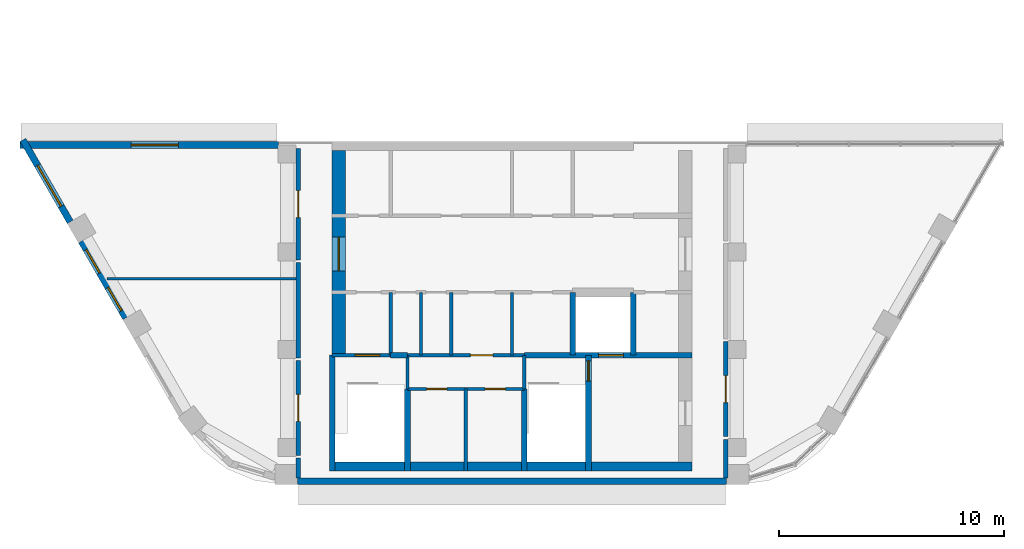
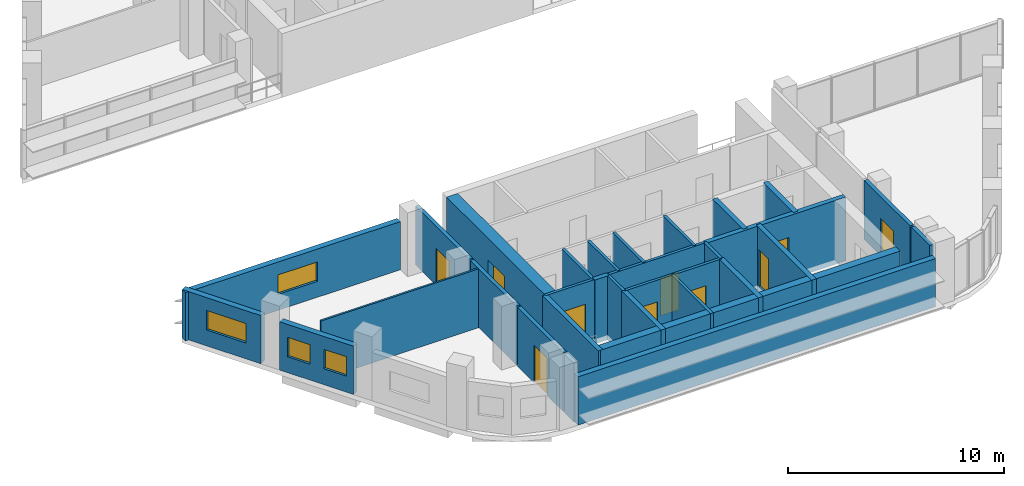
# One storey, part 8 of 13: 31 walls, 10 doors, 4 windows, 14 openings.
"""IFC4 building model written with IfcOpenShell, lengths in metres."""

from ifc_helpers import new_model, si_unit, direction, frame, frame_2d, origin, place, context, subcontext, project, spatial, rectangle, extrude, material, layer, layer_set, type_object, element, fill, save


model = new_model("IFC4")

# Units and contexts
model_context = context("Model", 3, precision=1e-05, world=origin(), true_north=direction((0.0, 1.0)))
body_context = subcontext(model_context, "Body", "Model", "MODEL_VIEW")
ifc_project = project(units=[si_unit("LENGTHUNIT", "METRE"), si_unit("AREAUNIT", "SQUARE_METRE"), si_unit("VOLUMEUNIT", "CUBIC_METRE"), si_unit("PLANEANGLEUNIT", "RADIAN"), si_unit("MASSUNIT", "GRAM", prefix="KILO")], contexts=[model_context])

# Site, building, storey
site_placement = place(None, origin())
site = spatial("IfcSite", under=ifc_project, at=site_placement, CompositionType="ELEMENT")
building_placement = place(site_placement, origin())
building = spatial("IfcBuilding", under=site, at=building_placement, Name="Nakaniwa Court", CompositionType="ELEMENT")
storey_placement = place(building_placement, frame((0.0, 0.0, 286.800048828125)))
storey = spatial("IfcBuildingStorey", under=building, at=storey_placement, Name="C05", CompositionType="ELEMENT", Elevation=286.800048828125)

# Wall
ifc_material_1 = material(Name="Acoustic double stud partition")
ifc_layer_1 = layer(ifc_material_1, 0.199951171875)
ifc_layer_set_1 = layer_set([ifc_layer_1], Name="Acoustic double stud partition")
wall_type_1 = type_object("IfcWallType", Name="Acoustic double stud partition 200", PredefinedType="PARTITIONING", material=ifc_layer_set_1)
wall_1_placement = place(storey_placement, frame((89.5, 57.64990234375, 0.0), z_axis=(0.0, 0.0, 1.0), x_axis=(0.0, 1.0, 0.0)))
element("IfcWall", 1, at=wall_1_placement, inside=storey, type_object=wall_type_1, Name="Partition PW-055", PredefinedType="PARTITIONING", context=body_context, shape_type="SweptSolid", body=[
    extrude(rectangle(XDim=1.713134765625, YDim=0.199951171875, at=frame_2d((0.8564453125, 0.0))), origin(), (0.0, 0.0, 1.0), 3.324951171875),
])

# Wall, opening, door
wall_2_placement = place(storey_placement, frame((89.5, 63.712890625, 0.0), z_axis=(0.0, 0.0, 1.0), x_axis=(0.0, -1.0, 0.0)))
wall_2 = element("IfcWall", 2, at=wall_2_placement, inside=storey, type_object=wall_type_1, Name="Partition PW-056", PredefinedType="PARTITIONING", context=body_context, shape_type="SweptSolid", body=[
    extrude(rectangle(XDim=4.23583984375, YDim=0.199951171875, at=frame_2d((2.117919921875, 0.0))), origin(), (0.0, 0.0, 1.0), 3.324951171875),
])
opening_1_placement = place(wall_2_placement, frame((1.51806640625, 0.0, 0.0)))
opening_1 = element("IfcOpeningElement", 3, at=opening_1_placement, cuts=wall_2, Name="Opening D-30-01", PredefinedType="OPENING", context=body_context, shape_type="SweptSolid", body=[
    extrude(rectangle(XDim=1.199951171875, YDim=2.10009765625, at=frame_2d((0.60009765625, 1.050048828125))), frame((0.0, 0.10986328125, 0.0), z_axis=(0.0, -1.0, 0.0), x_axis=(1.0, 0.0, 0.0)), (0.0, 0.0, 1.0), 0.219970703125),
])
ifc_material_2 = material(Name="Solid core timber door set, black veneer", Category="wood")
door_type_1 = type_object("IfcDoorType", Name="Internal door 1200", OperationType="NOTDEFINED", PredefinedType="DOOR", material=ifc_material_2)
door_1_placement = place(opening_1_placement, origin())
door_1 = element("IfcDoor", 4, at=door_1_placement, inside=storey, type_object=door_type_1, Name="Door D-30-01 C05-031", OperationType="SINGLE_SWING_RIGHT", OverallHeight=2.10009765625, OverallWidth=1.199951171875, PredefinedType="DOOR", context=body_context, shape_type="SweptSolid", body=[
    extrude(rectangle(XDim=1.199951171875, YDim=2.10009765625, at=frame_2d((0.60009765625, 1.050048828125))), frame((0.0, 0.02490234375, 0.0), z_axis=(0.0, -1.0, 0.0), x_axis=(1.0, 0.0, 0.0)), (0.0, 0.0, 1.0), 0.050048828125),
])
fill(opening_1, door_1)

# Wall
wall_3_placement = place(storey_placement, frame((70.5, 57.64990234375, 0.0), z_axis=(0.0, 0.0, 1.0), x_axis=(0.0, 1.0, 0.0)))
element("IfcWall", 5, at=wall_3_placement, inside=storey, type_object=wall_type_1, Name="Partition PW-063", PredefinedType="PARTITIONING", context=body_context, shape_type="SweptSolid", body=[
    extrude(rectangle(XDim=0.873046875, YDim=0.199951171875, at=frame_2d((0.4365234375, 0.0))), origin(), (0.0, 0.0, 1.0), 3.324951171875),
])

# Wall, opening, door
wall_4_placement = place(storey_placement, frame((70.5, 58.636962890625, 0.0), z_axis=(0.0, 0.0, 1.0), x_axis=(0.0, 1.0, 0.0)))
wall_4 = element("IfcWall", 6, at=wall_4_placement, inside=storey, type_object=wall_type_1, Name="Partition PW-064", PredefinedType="PARTITIONING", context=body_context, shape_type="SweptSolid", body=[
    extrude(rectangle(XDim=4.236083984375, YDim=0.199951171875, at=frame_2d((2.1181640625, 0.0))), origin(), (0.0, 0.0, 1.0), 3.324951171875),
])
opening_2_placement = place(wall_4_placement, frame((1.51806640625, 0.0, 0.0)))
opening_2 = element("IfcOpeningElement", 7, at=opening_2_placement, cuts=wall_4, Name="Opening D-30-03", PredefinedType="OPENING", context=body_context, shape_type="SweptSolid", body=[
    extrude(rectangle(XDim=1.199951171875, YDim=2.10009765625, at=frame_2d((0.60009765625, 1.050048828125))), frame((0.0, 0.10986328125, 0.0), z_axis=(0.0, -1.0, 0.0), x_axis=(1.0, 0.0, 0.0)), (0.0, 0.0, 1.0), 0.219970703125),
])
door_2_placement = place(opening_2_placement, origin())
door_2 = element("IfcDoor", 8, at=door_2_placement, inside=storey, type_object=door_type_1, Name="Door D-30-03 C05-033", OperationType="SINGLE_SWING_RIGHT", OverallHeight=2.10009765625, OverallWidth=1.199951171875, PredefinedType="DOOR", context=body_context, shape_type="SweptSolid", body=[
    extrude(rectangle(XDim=1.199951171875, YDim=2.10009765625, at=frame_2d((0.60009765625, 1.050048828125))), frame((0.0, 0.02490234375, 0.0), z_axis=(0.0, -1.0, 0.0), x_axis=(1.0, 0.0, 0.0)), (0.0, 0.0, 1.0), 0.050048828125),
])
fill(opening_2, door_2)

# Wall
wall_5_placement = place(storey_placement, frame((70.5, 62.987060546875, 0.0), z_axis=(0.0, 0.0, 1.0), x_axis=(0.0, 1.0, 0.0)))
element("IfcWall", 9, at=wall_5_placement, inside=storey, type_object=wall_type_1, Name="Partition PW-065", PredefinedType="PARTITIONING", context=body_context, shape_type="SweptSolid", body=[
    extrude(rectangle(XDim=4.23583984375, YDim=0.199951171875, at=frame_2d((2.117919921875, 0.0))), origin(), (0.0, 0.0, 1.0), 3.324951171875),
])

# Wall, opening, door
wall_6_placement = place(storey_placement, frame((70.5, 67.3369140625, 0.0), z_axis=(0.0, 0.0, 1.0), x_axis=(0.0, 1.0, 0.0)))
wall_6 = element("IfcWall", 10, at=wall_6_placement, inside=storey, type_object=wall_type_1, Name="Partition PW-066", PredefinedType="PARTITIONING", context=body_context, shape_type="SweptSolid", body=[
    extrude(rectangle(XDim=4.963134765625, YDim=0.199951171875, at=frame_2d((2.4814453125, 0.0))), origin(), (0.0, 0.0, 1.0), 3.324951171875),
])
opening_3_placement = place(wall_6_placement, frame((1.883056640625, 0.0, 0.0)))
opening_3 = element("IfcOpeningElement", 11, at=opening_3_placement, cuts=wall_6, Name="Opening D-30-04", PredefinedType="OPENING", context=body_context, shape_type="SweptSolid", body=[
    extrude(rectangle(XDim=1.199951171875, YDim=2.10009765625, at=frame_2d((0.60009765625, 1.050048828125))), frame((0.0, 0.10986328125, 0.0), z_axis=(0.0, -1.0, 0.0), x_axis=(1.0, 0.0, 0.0)), (0.0, 0.0, 1.0), 0.219970703125),
])
door_3_placement = place(opening_3_placement, origin())
door_3 = element("IfcDoor", 12, at=door_3_placement, inside=storey, type_object=door_type_1, Name="Door D-30-04 C05-034", OperationType="SINGLE_SWING_LEFT", OverallHeight=2.10009765625, OverallWidth=1.199951171875, PredefinedType="DOOR", context=body_context, shape_type="SweptSolid", body=[
    extrude(rectangle(XDim=1.199951171875, YDim=2.10009765625, at=frame_2d((0.60009765625, 1.050048828125))), frame((0.0, 0.02490234375, 0.0), z_axis=(0.0, -1.0, 0.0), x_axis=(1.0, 0.0, 0.0)), (0.0, 0.0, 1.0), 0.050048828125),
])
fill(opening_3, door_3)

# Wall, opening, window
ifc_material_3 = material(Name="Charcoal ceramic cladding")
ifc_layer_2 = layer(ifc_material_3, 0.02, Name="Ceramic cladding")
ifc_material_4 = material(Name="Ventilated air cavity")
ifc_layer_3 = layer(ifc_material_4, 0.04, ventilated=True, Name="Ventilated cavity")
ifc_material_5 = material(Name="Mineral wool insulation")
ifc_layer_4 = layer(ifc_material_5, 0.1, Name="Insulation")
ifc_material_6 = material(Name="Cement bonded sheathing board")
ifc_layer_5 = layer(ifc_material_6, 0.012, Name="Sheathing")
ifc_material_7 = material(Name="Cold-formed galvanised stud frame with mineral wool infill")
ifc_layer_6 = layer(ifc_material_7, 0.1, Name="Stud frame")
ifc_material_8 = material(Name="Fire-rated gypsum plasterboard lining")
ifc_layer_7 = layer(ifc_material_8, 0.028, Name="Lining")
ifc_layer_set_2 = layer_set([ifc_layer_2, ifc_layer_3, ifc_layer_4, ifc_layer_5, ifc_layer_6, ifc_layer_7], Name="Charcoal ceramic faced external wall system")
wall_type_2 = type_object("IfcWallType", Name="Black ceramic faced external wall 300", PredefinedType="SOLIDWALL", material=ifc_layer_set_2)
wall_7_placement = place(storey_placement, frame((69.60400390625, 72.449951171875, 0.0), z_axis=(0.0, 0.0, 1.0), x_axis=(-1.0, 0.0, 0.0)))
wall_7 = element("IfcWall", 13, at=wall_7_placement, inside=storey, type_object=wall_type_2, Name="C05 external wall 04", PredefinedType="SOLIDWALL", context=body_context, shape_type="SweptSolid", body=[
    extrude(rectangle(XDim=11.485595703125, YDim=0.300048828125, at=frame_2d((5.74267578125, 0.0))), origin(), (0.0, 0.0, 1.0), 2.724853515625),
])
opening_4_placement = place(wall_7_placement, frame((4.439208984375, 0.0, 0.89990234375)))
opening_4 = element("IfcOpeningElement", 14, at=opening_4_placement, cuts=wall_7, Name="Opening W7.01", PredefinedType="OPENING", context=body_context, shape_type="SweptSolid", body=[
    extrude(rectangle(XDim=2.10009765625, YDim=1.10009765625, at=frame_2d((1.050048828125, 0.550048828125))), frame((0.0, 0.159912109375, 0.0), z_axis=(0.0, -1.0, 0.0), x_axis=(1.0, 0.0, 0.0)), (0.0, 0.0, 1.0), 0.320068359375),
])
ifc_material_9 = material(Name="Black anodised aluminium frame with dark low-E laminated double glazing", Category="aluminium")
window_type_1 = type_object("IfcWindowType", Name="Dark glass window 2100x1100 sill 900", PartitioningType="SINGLE_PANEL", PredefinedType="WINDOW", material=ifc_material_9)
window_1_placement = place(opening_4_placement, origin())
window_1 = element("IfcWindow", 15, at=window_1_placement, inside=storey, type_object=window_type_1, Name="C05 habitable room window 04-0", OverallHeight=1.10009765625, OverallWidth=2.10009765625, PartitioningType="SINGLE_PANEL", PredefinedType="WINDOW", context=body_context, shape_type="SweptSolid", body=[
    extrude(rectangle(XDim=2.10009765625, YDim=1.10009765625, at=frame_2d((1.050048828125, 0.550048828125))), frame((0.0, 0.030029296875, 0.0), z_axis=(0.0, -1.0, 0.0), x_axis=(1.0, 0.0, 0.0)), (0.0, 0.0, 1.0), 0.06005859375),
])
fill(opening_4, window_1)

wall_8_placement = place(storey_placement, frame((58.248291015625, 72.675048828125, 0.0), z_axis=(0.0, 0.0, 1.0), x_axis=(0.499981865284, -0.866035873614, 0.0)))
wall_8 = element("IfcWall", 16, at=wall_8_placement, inside=storey, type_object=wall_type_2, Name="C05 external wall 05", PredefinedType="SOLIDWALL", context=body_context, shape_type="SweptSolid", body=[
    extrude(rectangle(XDim=4.209228515625, YDim=0.300048828125, at=frame_2d((2.1044921875, 0.0))), origin(), (0.0, 0.0, 1.0), 2.724853515625),
])
opening_5_placement = place(wall_8_placement, frame((1.30810546875, 0.0, 0.89990234375)))
opening_5 = element("IfcOpeningElement", 17, at=opening_5_placement, cuts=wall_8, Name="Opening W7.02", PredefinedType="OPENING", context=body_context, shape_type="SweptSolid", body=[
    extrude(rectangle(XDim=2.10009765625, YDim=1.10009765625, at=frame_2d((1.050048828125, 0.550048828125))), frame((0.0, 0.159912109375, 0.0), z_axis=(0.0, -1.0, 0.0), x_axis=(1.0, 0.0, 0.0)), (0.0, 0.0, 1.0), 0.320068359375),
])
window_2_placement = place(opening_5_placement, origin())
window_2 = element("IfcWindow", 18, at=window_2_placement, inside=storey, type_object=window_type_1, Name="C05 habitable room window 05-0", OverallHeight=1.10009765625, OverallWidth=2.10009765625, PartitioningType="SINGLE_PANEL", PredefinedType="WINDOW", context=body_context, shape_type="SweptSolid", body=[
    extrude(rectangle(XDim=2.10009765625, YDim=1.10009765625, at=frame_2d((1.050048828125, 0.550048828125))), frame((0.0, 0.030029296875, 0.0), z_axis=(0.0, -1.0, 0.0), x_axis=(1.0, 0.0, 0.0)), (0.0, 0.0, 1.0), 0.06005859375),
])
fill(opening_5, window_2)

# Wall, openings, windows
wall_9_placement = place(storey_placement, frame((60.848876953125, 68.1708984375, 0.0), z_axis=(0.0, 0.0, 1.0), x_axis=(0.499986771468, -0.866033041146, 0.0)))
wall_9 = element("IfcWall", 19, at=wall_9_placement, inside=storey, type_object=wall_type_2, Name="C05 external wall 06", PredefinedType="SOLIDWALL", context=body_context, shape_type="SweptSolid", body=[
    extrude(rectangle(XDim=3.9443359375, YDim=0.300048828125, at=frame_2d((1.97216796875, 0.0))), origin(), (0.0, 0.0, 1.0), 2.724853515625),
])
opening_6_placement = place(wall_9_placement, frame((0.42578125, 0.0, 0.89990234375)))
opening_6 = element("IfcOpeningElement", 20, at=opening_6_placement, cuts=wall_9, Name="Opening W6.03", PredefinedType="OPENING", context=body_context, shape_type="SweptSolid", body=[
    extrude(rectangle(XDim=1.199951171875, YDim=1.10009765625, at=frame_2d((0.60009765625, 0.550048828125))), frame((0.0, 0.159912109375, 0.0), z_axis=(0.0, -1.0, 0.0), x_axis=(1.0, 0.0, 0.0)), (0.0, 0.0, 1.0), 0.320068359375),
])
opening_7_placement = place(wall_9_placement, frame((2.373779296875, 0.0, 0.89990234375)))
opening_7 = element("IfcOpeningElement", 21, at=opening_7_placement, cuts=wall_9, Name="Opening W6.04", PredefinedType="OPENING", context=body_context, shape_type="SweptSolid", body=[
    extrude(rectangle(XDim=1.199951171875, YDim=1.10009765625, at=frame_2d((0.60009765625, 0.550048828125))), frame((0.0, 0.159912109375, 0.0), z_axis=(0.0, -1.0, 0.0), x_axis=(1.0, 0.0, 0.0)), (0.0, 0.0, 1.0), 0.320068359375),
])
window_type_2 = type_object("IfcWindowType", Name="Dark glass window 1200x1100 sill 900", PartitioningType="SINGLE_PANEL", PredefinedType="WINDOW", material=ifc_material_9)
window_3_placement = place(opening_6_placement, origin())
window_3 = element("IfcWindow", 22, at=window_3_placement, inside=storey, type_object=window_type_2, Name="C05 habitable room window 06-0", OverallHeight=1.10009765625, OverallWidth=1.199951171875, PartitioningType="SINGLE_PANEL", PredefinedType="WINDOW", context=body_context, shape_type="SweptSolid", body=[
    extrude(rectangle(XDim=1.199951171875, YDim=1.10009765625, at=frame_2d((0.60009765625, 0.550048828125))), frame((0.0, 0.030029296875, 0.0), z_axis=(0.0, -1.0, 0.0), x_axis=(1.0, 0.0, 0.0)), (0.0, 0.0, 1.0), 0.06005859375),
])
fill(opening_6, window_3)
window_4_placement = place(opening_7_placement, origin())
window_4 = element("IfcWindow", 23, at=window_4_placement, inside=storey, type_object=window_type_2, Name="C05 habitable room window 06-1", OverallHeight=1.10009765625, OverallWidth=1.199951171875, PartitioningType="SINGLE_PANEL", PredefinedType="WINDOW", context=body_context, shape_type="SweptSolid", body=[
    extrude(rectangle(XDim=1.199951171875, YDim=1.10009765625, at=frame_2d((0.60009765625, 0.550048828125))), frame((0.0, 0.030029296875, 0.0), z_axis=(0.0, -1.0, 0.0), x_axis=(1.0, 0.0, 0.0)), (0.0, 0.0, 1.0), 0.06005859375),
])
fill(opening_7, window_4)

# Walls
wall_10_placement = place(storey_placement, frame((70.45068359375, 57.5, 0.0), z_axis=(0.0, 0.0, 1.0), x_axis=(1.0, 0.0, 0.0)))
element("IfcWall", 24, at=wall_10_placement, inside=storey, type_object=wall_type_2, Name="C05 external wall 10", PredefinedType="SOLIDWALL", context=body_context, shape_type="SweptSolid", body=[
    extrude(rectangle(XDim=19.0927734375, YDim=0.300048828125, at=frame_2d((9.54638671875, 0.0))), origin(), (0.0, 0.0, 1.0), 2.724853515625),
])
ifc_material_10 = material(Name="Blockwork partition", Category="masonry")
ifc_layer_8 = layer(ifc_material_10, 0.14990234375)
ifc_layer_set_3 = layer_set([ifc_layer_8], Name="Blockwork partition")
wall_type_3 = type_object("IfcWallType", Name="Blockwork partition 150", PredefinedType="PARTITIONING", material=ifc_layer_set_3)
for number, where, z_axis, x_axis, name in (
    (25, (74.60009765625, 63.10009765625, 0.0), (0.0, 0.0, 1.0), (0.0, 1.0, 0.0), "Partition PW-028"),
    (26, (80.0, 63.10009765625, 0.0), (0.0, 0.0, 1.0), (0.0, 1.0, 0.0), "Partition PW-032"),
    (27, (75.949951171875, 63.10009765625, 0.0), (0.0, 0.0, 1.0), (0.0, 1.0, 0.0), "Partition PW-040"),
):
    element("IfcWall", number, at=place(storey_placement, frame(where, z_axis=z_axis, x_axis=x_axis)), inside=storey, type_object=wall_type_3, Name=name, PredefinedType="PARTITIONING", context=body_context, shape_type="SweptSolid", body=[
        extrude(rectangle(XDim=2.7998046875, YDim=0.14990234375, at=frame_2d((1.39990234375, 0.0))), origin(), (0.0, 0.0, 1.0), 3.324951171875),
    ])

# Wall, opening, door
wall_11_placement = place(storey_placement, frame((80.552978515625, 63.10009765625, 0.0), z_axis=(0.0, 0.0, 1.0), x_axis=(-1.0, 0.0, 0.0)))
wall_11 = element("IfcWall", 28, at=wall_11_placement, inside=storey, type_object=wall_type_3, Name="Partition PW-043", PredefinedType="PARTITIONING", context=body_context, shape_type="SweptSolid", body=[
    extrude(rectangle(XDim=5.2060546875, YDim=0.14990234375, at=frame_2d((2.60302734375, 0.0))), origin(), (0.0, 0.0, 1.0), 3.324951171875),
])
opening_8_placement = place(wall_11_placement, frame((1.403076171875, 0.0, 0.0)))
opening_8 = element("IfcOpeningElement", 29, at=opening_8_placement, cuts=wall_11, Name="Opening D-23-02", PredefinedType="OPENING", context=body_context, shape_type="SweptSolid", body=[
    extrude(rectangle(XDim=1.0, YDim=2.10009765625, at=frame_2d((0.5, 1.050048828125))), frame((0.0, 0.0849609375, 0.0), z_axis=(0.0, -1.0, 0.0), x_axis=(1.0, 0.0, 0.0)), (0.0, 0.0, 1.0), 0.169921875),
])
ifc_material_11 = material(Name="Fire rated steel door set", Category="steel")
door_type_2 = type_object("IfcDoorType", Name="Service room door 1000", OperationType="NOTDEFINED", PredefinedType="DOOR", material=ifc_material_11)
door_4_placement = place(opening_8_placement, origin())
door_4 = element("IfcDoor", 30, at=door_4_placement, inside=storey, type_object=door_type_2, Name="Door D-23-02 C05-026", OperationType="SINGLE_SWING_LEFT", OverallHeight=2.10009765625, OverallWidth=1.0, PredefinedType="DOOR", context=body_context, shape_type="SweptSolid", body=[
    extrude(rectangle(XDim=1.0, YDim=2.10009765625, at=frame_2d((0.5, 1.050048828125))), frame((0.0, 0.02490234375, 0.0), z_axis=(0.0, -1.0, 0.0), x_axis=(1.0, 0.0, 0.0)), (0.0, 0.0, 1.0), 0.050048828125),
])
fill(opening_8, door_4)

# Wall
wall_12_placement = place(storey_placement, frame((77.300048828125, 63.10009765625, 0.0), z_axis=(0.0, 0.0, 1.0), x_axis=(0.0, 1.0, 0.0)))
element("IfcWall", 31, at=wall_12_placement, inside=storey, type_object=wall_type_3, Name="Partition PW-044", PredefinedType="PARTITIONING", context=body_context, shape_type="SweptSolid", body=[
    extrude(rectangle(XDim=2.7998046875, YDim=0.14990234375, at=frame_2d((1.39990234375, 0.0))), origin(), (0.0, 0.0, 1.0), 3.324951171875),
])

# Wall, openings, doors
wall_13_placement = place(storey_placement, frame((80.550048828125, 61.60009765625, 0.0), z_axis=(0.0, 0.0, 1.0), x_axis=(-1.0, 0.0, 0.0)))
wall_13 = element("IfcWall", 32, at=wall_13_placement, inside=storey, type_object=wall_type_3, Name="Partition PW-053", PredefinedType="PARTITIONING", context=body_context, shape_type="SweptSolid", body=[
    extrude(rectangle(XDim=5.199951171875, YDim=0.14990234375, at=frame_2d((2.60009765625, 0.0))), origin(), (0.0, 0.0, 1.0), 3.324951171875),
])
opening_9_placement = place(wall_13_placement, frame((3.449951171875, 0.0, 0.0)))
opening_9 = element("IfcOpeningElement", 33, at=opening_9_placement, cuts=wall_13, Name="Opening D-05-19", PredefinedType="OPENING", context=body_context, shape_type="SweptSolid", body=[
    extrude(rectangle(XDim=0.89990234375, YDim=2.10009765625, at=frame_2d((0.449951171875, 1.050048828125))), frame((0.0, 0.0849609375, 0.0), z_axis=(0.0, -1.0, 0.0), x_axis=(1.0, 0.0, 0.0)), (0.0, 0.0, 1.0), 0.169921875),
])
opening_10_placement = place(wall_13_placement, frame((0.85009765625, 0.0, 0.0)))
opening_10 = element("IfcOpeningElement", 34, at=opening_10_placement, cuts=wall_13, Name="Opening D-05-20", PredefinedType="OPENING", context=body_context, shape_type="SweptSolid", body=[
    extrude(rectangle(XDim=0.89990234375, YDim=2.10009765625, at=frame_2d((0.449951171875, 1.050048828125))), frame((0.0, 0.0849609375, 0.0), z_axis=(0.0, -1.0, 0.0), x_axis=(1.0, 0.0, 0.0)), (0.0, 0.0, 1.0), 0.169921875),
])
door_type_3 = type_object("IfcDoorType", Name="Service room door 900", OperationType="NOTDEFINED", PredefinedType="DOOR", material=ifc_material_11)
door_5_placement = place(opening_9_placement, origin())
door_5 = element("IfcDoor", 35, at=door_5_placement, inside=storey, type_object=door_type_3, Name="Door D-05-19 C05-027", OperationType="SINGLE_SWING_RIGHT", OverallHeight=2.10009765625, OverallWidth=0.89990234375, PredefinedType="DOOR", context=body_context, shape_type="SweptSolid", body=[
    extrude(rectangle(XDim=0.89990234375, YDim=2.10009765625, at=frame_2d((0.449951171875, 1.050048828125))), frame((0.0, 0.02490234375, 0.0), z_axis=(0.0, -1.0, 0.0), x_axis=(1.0, 0.0, 0.0)), (0.0, 0.0, 1.0), 0.050048828125),
])
fill(opening_9, door_5)
door_6_placement = place(opening_10_placement, origin())
door_6 = element("IfcDoor", 36, at=door_6_placement, inside=storey, type_object=door_type_3, Name="Door D-05-20 C05-028", OperationType="SINGLE_SWING_LEFT", OverallHeight=2.10009765625, OverallWidth=0.89990234375, PredefinedType="DOOR", context=body_context, shape_type="SweptSolid", body=[
    extrude(rectangle(XDim=0.89990234375, YDim=2.10009765625, at=frame_2d((0.449951171875, 1.050048828125))), frame((0.0, 0.02490234375, 0.0), z_axis=(0.0, -1.0, 0.0), x_axis=(1.0, 0.0, 0.0)), (0.0, 0.0, 1.0), 0.050048828125),
])
fill(opening_10, door_6)

# Wall
wall_14_placement = place(storey_placement, frame((77.949951171875, 57.949951171875, 0.0), z_axis=(0.0, 0.0, 1.0), x_axis=(0.0, 1.0, 0.0)))
element("IfcWall", 37, at=wall_14_placement, inside=storey, type_object=wall_type_3, Name="Partition PW-054", PredefinedType="PARTITIONING", context=body_context, shape_type="SweptSolid", body=[
    extrude(rectangle(XDim=3.650146484375, YDim=0.14990234375, at=frame_2d((1.8251953125, 0.0))), origin(), (0.0, 0.0, 1.0), 3.324951171875),
])

# Wall, opening, door
ifc_material_12 = material(Name="Concrete C80/100", Category="concrete")
ifc_layer_9 = layer(ifc_material_12, 0.60009765625)
ifc_layer_set_4 = layer_set([ifc_layer_9], Name="Concrete C80/100")
wall_type_4 = type_object("IfcWallType", Name="Concrete core side wall 600 C80", PredefinedType="SHEAR", material=ifc_layer_set_4)
wall_15_placement = place(storey_placement, frame((72.300048828125, 63.10009765625, -0.275146484375), z_axis=(0.0, 0.0, 1.0), x_axis=(0.0, 1.0, 0.0)))
wall_15 = element("IfcWall", 38, at=wall_15_placement, inside=storey, type_object=wall_type_4, Name="Core wall SW-31", PredefinedType="SHEAR", context=body_context, shape_type="SweptSolid", body=[
    extrude(rectangle(XDim=9.099853515625, YDim=0.60009765625, at=frame_2d((4.5498046875, 0.0))), origin(), (0.0, 0.0, 1.0), 3.60009765625),
])
opening_11_placement = place(wall_15_placement, frame((3.75, 0.0, 0.27490234375)))
opening_11 = element("IfcOpeningElement", 39, at=opening_11_placement, cuts=wall_15, Name="Opening D-07-04", PredefinedType="OPENING", context=body_context, shape_type="SweptSolid", body=[
    extrude(rectangle(XDim=1.5, YDim=2.10009765625, at=frame_2d((0.75, 1.050048828125))), frame((0.0, 0.31005859375, 0.0), z_axis=(0.0, -1.0, 0.0), x_axis=(1.0, 0.0, 0.0)), (0.0, 0.0, 1.0), 0.6201171875),
])
ifc_material_13 = material(Name="Glazed fire rated steel double door set", Category="steel")
door_type_4 = type_object("IfcDoorType", Name="Lobby double door 1500", OperationType="NOTDEFINED", PredefinedType="DOOR", material=ifc_material_13)
door_7_placement = place(opening_11_placement, origin())
door_7 = element("IfcDoor", 40, at=door_7_placement, inside=storey, type_object=door_type_4, Name="Door D-07-04 C05-041", OperationType="DOUBLE_DOOR_SINGLE_SWING", OverallHeight=2.10009765625, OverallWidth=1.5, PredefinedType="DOOR", context=body_context, shape_type="SweptSolid", body=[
    extrude(rectangle(XDim=1.5, YDim=2.10009765625, at=frame_2d((0.75, 1.050048828125))), frame((0.0, 0.02490234375, 0.0), z_axis=(0.0, -1.0, 0.0), x_axis=(1.0, 0.0, 0.0)), (0.0, 0.0, 1.0), 0.050048828125),
])
fill(opening_11, door_7)

ifc_layer_10 = layer(ifc_material_12, 0.14990234375)
ifc_layer_set_5 = layer_set([ifc_layer_10], Name="Concrete C80/100")
wall_type_5 = type_object("IfcWallType", Name="Concrete core wall 150 C80", PredefinedType="SHEAR", material=ifc_layer_set_5)
wall_16_placement = place(storey_placement, frame((72.0, 63.10009765625, -0.275146484375), z_axis=(0.0, 0.0, 1.0), x_axis=(1.0, 0.0, 0.0)))
wall_16 = element("IfcWall", 41, at=wall_16_placement, inside=storey, type_object=wall_type_5, Name="Core wall SW-39", PredefinedType="SHEAR", context=body_context, shape_type="SweptSolid", body=[
    extrude(rectangle(XDim=2.60009765625, YDim=0.14990234375, at=frame_2d((1.300048828125, 0.0))), origin(), (0.0, 0.0, 1.0), 3.60009765625),
])
opening_12_placement = place(wall_16_placement, frame((1.02001953125, 0.0, 0.27490234375)))
opening_12 = element("IfcOpeningElement", 42, at=opening_12_placement, cuts=wall_16, Name="Opening D-09-02", PredefinedType="OPENING", context=body_context, shape_type="SweptSolid", body=[
    extrude(rectangle(XDim=1.10009765625, YDim=2.10009765625, at=frame_2d((0.550048828125, 1.050048828125))), frame((0.0, 0.0849609375, 0.0), z_axis=(0.0, -1.0, 0.0), x_axis=(1.0, 0.0, 0.0)), (0.0, 0.0, 1.0), 0.169921875),
])
door_type_5 = type_object("IfcDoorType", Name="Stair door 1100", OperationType="NOTDEFINED", PredefinedType="DOOR", material=ifc_material_11)
door_8_placement = place(opening_12_placement, origin())
door_8 = element("IfcDoor", 43, at=door_8_placement, inside=storey, type_object=door_type_5, Name="Door D-09-02 C05-029", OperationType="SINGLE_SWING_LEFT", OverallHeight=2.10009765625, OverallWidth=1.10009765625, PredefinedType="DOOR", context=body_context, shape_type="SweptSolid", body=[
    extrude(rectangle(XDim=1.10009765625, YDim=2.10009765625, at=frame_2d((0.550048828125, 1.050048828125))), frame((0.0, 0.02490234375, 0.0), z_axis=(0.0, -1.0, 0.0), x_axis=(1.0, 0.0, 0.0)), (0.0, 0.0, 1.0), 0.050048828125),
])
fill(opening_12, door_8)

# Walls
for number, where, z_axis, x_axis, name in (
    (44, (75.35009765625, 61.596923828125, -0.275146484375), (0.0, 0.0, 1.0), (0.0, 1.0, 0.0), "Core wall SW-47"),
    (45, (80.550048828125, 61.596923828125, -0.275146484375), (0.0, 0.0, 1.0), (0.0, 1.0, 0.0), "Core wall SW-51"),
):
    element("IfcWall", number, at=place(storey_placement, frame(where, z_axis=z_axis, x_axis=x_axis)), inside=storey, type_object=wall_type_5, Name=name, PredefinedType="SHEAR", context=body_context, shape_type="SweptSolid", body=[
        extrude(rectangle(XDim=1.503173828125, YDim=0.14990234375, at=frame_2d((0.75146484375, 0.0))), origin(), (0.0, 0.0, 1.0), 3.60009765625),
    ])
ifc_layer_11 = layer(ifc_material_12, 0.25)
ifc_layer_set_6 = layer_set([ifc_layer_11], Name="Concrete C80/100")
wall_type_6 = type_object("IfcWallType", Name="Concrete core wall 250 C80", PredefinedType="SHEAR", material=ifc_layer_set_6)
wall_17_placement = place(storey_placement, frame((72.0, 57.949951171875, -0.275146484375), z_axis=(0.0, 0.0, 1.0), x_axis=(0.0, 1.0, 0.0)))
element("IfcWall", 46, at=wall_17_placement, inside=storey, type_object=wall_type_6, Name="Core wall SW-49", PredefinedType="SHEAR", context=body_context, shape_type="SweptSolid", body=[
    extrude(rectangle(XDim=5.150146484375, YDim=0.25, at=frame_2d((2.5751953125, 0.0))), origin(), (0.0, 0.0, 1.0), 3.60009765625),
])
ifc_layer_12 = layer(ifc_material_12, 0.39990234375)
ifc_layer_set_7 = layer_set([ifc_layer_12], Name="Concrete C80/100")
wall_type_7 = type_object("IfcWallType", Name="Concrete core wall 400 C80", PredefinedType="SHEAR", material=ifc_layer_set_7)
wall_18_placement = place(storey_placement, frame((72.00390625, 58.14990234375, -0.275146484375), z_axis=(0.0, 0.0, 1.0), x_axis=(1.0, 0.0, 0.0)))
element("IfcWall", 47, at=wall_18_placement, inside=storey, type_object=wall_type_7, Name="Core wall SW-80", PredefinedType="SHEAR", context=body_context, shape_type="SweptSolid", body=[
    extrude(rectangle(XDim=15.9921875, YDim=0.39990234375, at=frame_2d((7.99609375, 0.0))), origin(), (0.0, 0.0, 1.0), 3.60009765625),
])
ifc_layer_13 = layer(ifc_material_12, 0.25)
ifc_layer_set_8 = layer_set([ifc_layer_13], Name="Concrete C80/100")
wall_type_8 = type_object("IfcWallType", Name="Concrete shaft wall 250 C80", PredefinedType="SHEAR", material=ifc_layer_set_8)
wall_19_placement = place(storey_placement, frame((74.60009765625, 63.10009765625, -0.275146484375), z_axis=(0.0, 0.0, 1.0), x_axis=(1.0, 0.0, 0.0)))
element("IfcWall", 48, at=wall_19_placement, inside=storey, type_object=wall_type_8, Name="Core wall SW-41", PredefinedType="SHEAR", context=body_context, shape_type="SweptSolid", body=[
    extrude(rectangle(XDim=0.7529296875, YDim=0.25, at=frame_2d((0.37646484375, 0.0))), origin(), (0.0, 0.0, 1.0), 3.60009765625),
])

# Wall, opening, door
wall_20_placement = place(storey_placement, frame((80.547119140625, 63.10009765625, -0.275146484375), z_axis=(0.0, 0.0, 1.0), x_axis=(1.0, 0.0, 0.0)))
wall_20 = element("IfcWall", 49, at=wall_20_placement, inside=storey, type_object=wall_type_8, Name="Core wall SW-42", PredefinedType="SHEAR", context=body_context, shape_type="SweptSolid", body=[
    extrude(rectangle(XDim=7.452880859375, YDim=0.25, at=frame_2d((3.7265625, 0.0))), origin(), (0.0, 0.0, 1.0), 3.60009765625),
])
opening_13_placement = place(wall_20_placement, frame((3.302001953125, 0.0, 0.27490234375)))
opening_13 = element("IfcOpeningElement", 50, at=opening_13_placement, cuts=wall_20, Name="Opening LD02", PredefinedType="OPENING", context=body_context, shape_type="SweptSolid", body=[
    extrude(rectangle(XDim=1.10009765625, YDim=2.10009765625, at=frame_2d((0.550048828125, 1.050048828125))), frame((0.0, 0.135009765625, 0.0), z_axis=(0.0, -1.0, 0.0), x_axis=(1.0, 0.0, 0.0)), (0.0, 0.0, 1.0), 0.27001953125),
])
ifc_material_14 = material(Name="Stainless steel sliding lift landing door", Category="steel")
door_type_6 = type_object("IfcDoorType", Name="Lift landing door 1100", OperationType="NOTDEFINED", PredefinedType="DOOR", material=ifc_material_14)
door_9_placement = place(opening_13_placement, origin())
door_9 = element("IfcDoor", 51, at=door_9_placement, inside=storey, type_object=door_type_6, Name="Lift landing door LD02 C05-002", OperationType="SLIDING_TO_LEFT", OverallHeight=2.10009765625, OverallWidth=1.10009765625, PredefinedType="DOOR", context=body_context, shape_type="SweptSolid", body=[
    extrude(rectangle(XDim=1.10009765625, YDim=2.10009765625, at=frame_2d((0.550048828125, 1.050048828125))), frame((0.0, 0.02490234375, 0.0), z_axis=(0.0, -1.0, 0.0), x_axis=(1.0, 0.0, 0.0)), (0.0, 0.0, 1.0), 0.050048828125),
])
fill(opening_13, door_9)

# Walls
for number, where, z_axis, x_axis, name in (
    (52, (82.699951171875, 63.10009765625, -0.275146484375), (0.0, 0.0, 1.0), (0.0, 1.0, 0.0), "Core wall SW-45"),
    (53, (85.39990234375, 63.10009765625, -0.275146484375), (0.0, 0.0, 1.0), (0.0, 1.0, 0.0), "Core wall SW-46"),
):
    element("IfcWall", number, at=place(storey_placement, frame(where, z_axis=z_axis, x_axis=x_axis)), inside=storey, type_object=wall_type_8, Name=name, PredefinedType="SHEAR", context=body_context, shape_type="SweptSolid", body=[
        extrude(rectangle(XDim=2.7998046875, YDim=0.25, at=frame_2d((1.39990234375, 0.0))), origin(), (0.0, 0.0, 1.0), 3.60009765625),
    ])
wall_21_placement = place(storey_placement, frame((75.35009765625, 57.949951171875, -0.275146484375), z_axis=(0.0, 0.0, 1.0), x_axis=(0.0, 1.0, 0.0)))
element("IfcWall", 54, at=wall_21_placement, inside=storey, type_object=wall_type_8, Name="Core wall SW-48", PredefinedType="SHEAR", context=body_context, shape_type="SweptSolid", body=[
    extrude(rectangle(XDim=3.653076171875, YDim=0.25, at=frame_2d((1.82666015625, 0.0))), origin(), (0.0, 0.0, 1.0), 3.60009765625),
])

# Wall, opening, door
wall_22_placement = place(storey_placement, frame((83.39990234375, 63.10009765625, -0.275146484375), z_axis=(0.0, 0.0, 1.0), x_axis=(0.0, -1.0, 0.0)))
wall_22 = element("IfcWall", 55, at=wall_22_placement, inside=storey, type_object=wall_type_8, Name="Core wall SW-50", PredefinedType="SHEAR", context=body_context, shape_type="SweptSolid", body=[
    extrude(rectangle(XDim=5.150146484375, YDim=0.25, at=frame_2d((2.5751953125, 0.0))), origin(), (0.0, 0.0, 1.0), 3.60009765625),
])
opening_14_placement = place(wall_22_placement, frame((0.25, 0.0, 0.27490234375)))
opening_14 = element("IfcOpeningElement", 56, at=opening_14_placement, cuts=wall_22, Name="Opening D-11-02", PredefinedType="OPENING", context=body_context, shape_type="SweptSolid", body=[
    extrude(rectangle(XDim=0.89990234375, YDim=2.10009765625, at=frame_2d((0.449951171875, 1.050048828125))), frame((0.0, 0.135009765625, 0.0), z_axis=(0.0, -1.0, 0.0), x_axis=(1.0, 0.0, 0.0)), (0.0, 0.0, 1.0), 0.27001953125),
])
door_type_7 = type_object("IfcDoorType", Name="Stair door 900", OperationType="NOTDEFINED", PredefinedType="DOOR", material=ifc_material_11)
door_10_placement = place(opening_14_placement, origin())
door_10 = element("IfcDoor", 57, at=door_10_placement, inside=storey, type_object=door_type_7, Name="Door D-11-02 C05-030", OperationType="SINGLE_SWING_RIGHT", OverallHeight=2.10009765625, OverallWidth=0.89990234375, PredefinedType="DOOR", context=body_context, shape_type="SweptSolid", body=[
    extrude(rectangle(XDim=0.89990234375, YDim=2.10009765625, at=frame_2d((0.449951171875, 1.050048828125))), frame((0.0, 0.02490234375, 0.0), z_axis=(0.0, -1.0, 0.0), x_axis=(1.0, 0.0, 0.0)), (0.0, 0.0, 1.0), 0.050048828125),
])
fill(opening_14, door_10)

# Walls
wall_23_placement = place(storey_placement, frame((80.550048828125, 57.949951171875, -0.275146484375), z_axis=(0.0, 0.0, 1.0), x_axis=(0.0, 1.0, 0.0)))
element("IfcWall", 58, at=wall_23_placement, inside=storey, type_object=wall_type_8, Name="Core wall SW-52", PredefinedType="SHEAR", context=body_context, shape_type="SweptSolid", body=[
    extrude(rectangle(XDim=3.653076171875, YDim=0.25, at=frame_2d((1.82666015625, 0.0))), origin(), (0.0, 0.0, 1.0), 3.60009765625),
])
ifc_material_15 = material(Name="Single stud plasterboard partition")
ifc_layer_14 = layer(ifc_material_15, 0.10009765625)
ifc_layer_set_9 = layer_set([ifc_layer_14], Name="Single stud plasterboard partition")
wall_type_9 = type_object("IfcWallType", Name="Single stud plasterboard partition 100", PredefinedType="PARTITIONING", material=ifc_layer_set_9)
wall_24_placement = place(storey_placement, frame((61.98681640625, 66.5, 0.0), z_axis=(0.0, 0.0, 1.0), x_axis=(1.0, 0.0, 0.0)))
element("IfcWall", 59, at=wall_24_placement, inside=storey, type_object=wall_type_9, Name="Partition PW-071", PredefinedType="PARTITIONING", context=body_context, shape_type="SweptSolid", body=[
    extrude(rectangle(XDim=8.51318359375, YDim=0.10009765625, at=frame_2d((4.256591796875, 0.0))), origin(), (0.0, 0.0, 1.0), 3.324951171875),
])

save(model, "model.ifc")
